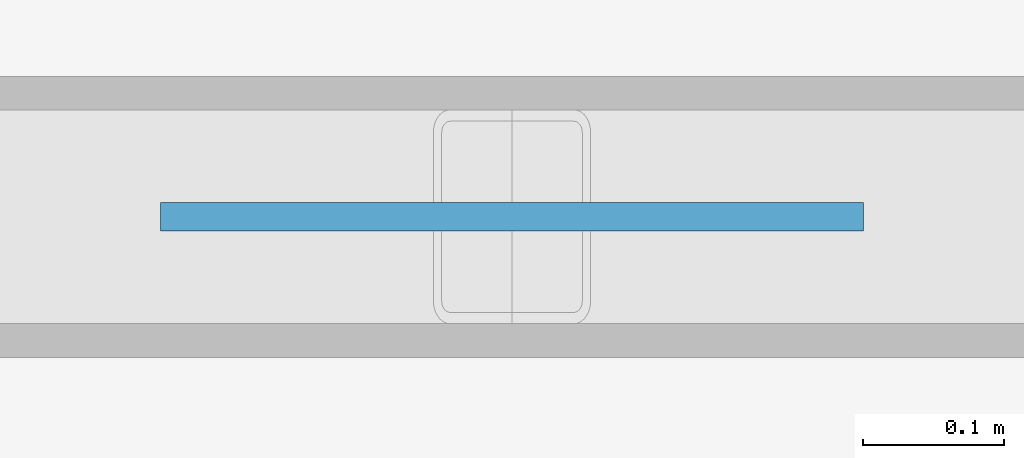
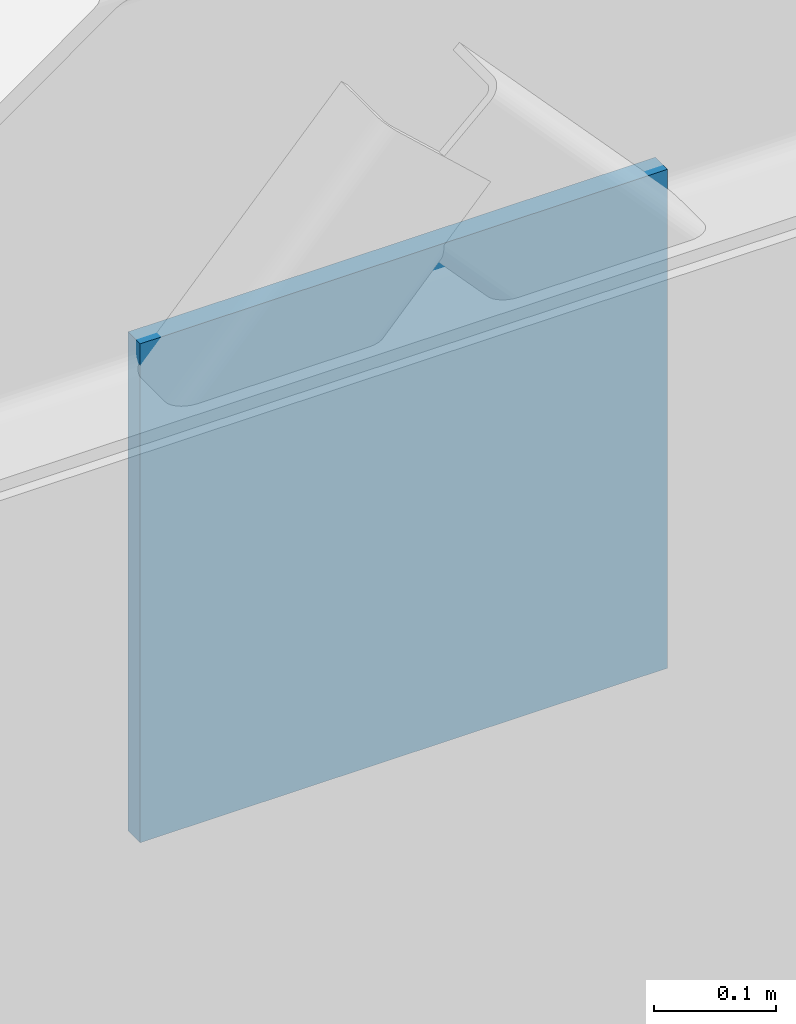
# One storey, part 58 of 99: 1 plate.
"""IFC4 building model written with IfcOpenShell, lengths in metres."""

from ifc_helpers import new_model, si_unit, direction, frame, origin, origin_2d, place, context, subcontext, project, spatial, rectangle, extrude, material, layer, layer_set, type_object, element, save


model = new_model("IFC4")

# Units and contexts
model_context = context("Model", 3, precision=1e-05, world=origin(), true_north=direction((0.0, 1.0)))
body_context = subcontext(model_context, "Body", "Model", "MODEL_VIEW")
ifc_project = project(units=[si_unit("LENGTHUNIT", "METRE"), si_unit("AREAUNIT", "SQUARE_METRE"), si_unit("VOLUMEUNIT", "CUBIC_METRE"), si_unit("PLANEANGLEUNIT", "RADIAN"), si_unit("MASSUNIT", "GRAM", prefix="KILO")], contexts=[model_context])

# Site, building, storey
site_placement = place(None, origin())
site = spatial("IfcSite", under=ifc_project, at=site_placement, CompositionType="ELEMENT")
building_placement = place(site_placement, origin())
building = spatial("IfcBuilding", under=site, at=building_placement, Name="Vaudrelin Polytechnic", CompositionType="ELEMENT")
storey_placement = place(building_placement, origin())
storey = spatial("IfcBuildingStorey", under=building, at=storey_placement, Name="L00", CompositionType="ELEMENT", Elevation=0.0)

# Plate
ifc_material = material(Name="Steel CSA G40.21 350WT", Category="steel")
ifc_layer = layer(ifc_material, 0.02001953125)
ifc_layer_set = layer_set([ifc_layer], Name="Steel CSA G40.21 350WT")
plate_type = type_object("IfcPlateType", Name="PLT-GP-03", PredefinedType="USERDEFINED", material=ifc_layer_set)
plate_placement = place(storey_placement, frame((20.25, 89.10009765625, 3.919921875), z_axis=(0.0, 0.0, 1.0), x_axis=(1.0, 0.0, 0.0)))
element("IfcPlate", 1, at=plate_placement, inside=storey, type_object=plate_type, Name="Braced-frame apex gusset plate GP-BF02", ObjectType="GUSSET PLATE", PredefinedType="USERDEFINED", context=body_context, shape_type="SweptSolid", body=[
    extrude(rectangle(XDim=0.5, YDim=0.02001953125, at=origin_2d()), origin(), (0.0, 0.0, 1.0), 0.5),
])

save(model, "model.ifc")
